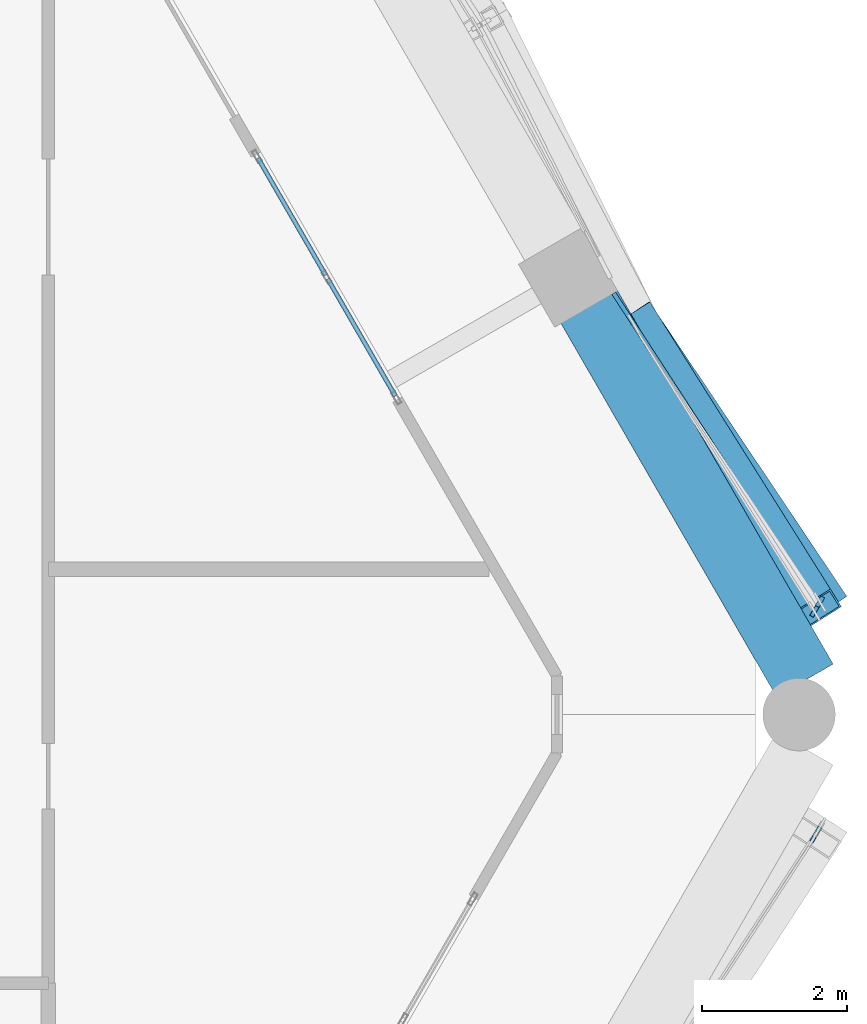
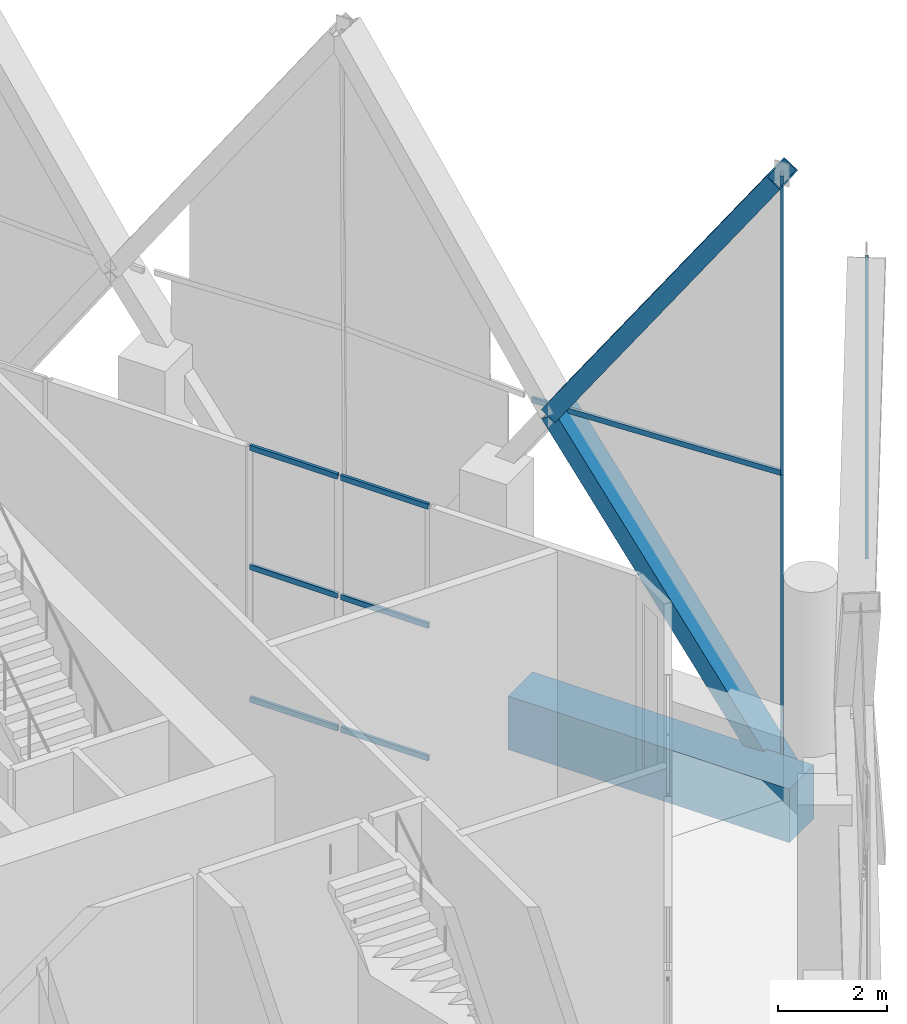
# One storey, part 25 of 43: 12 members, 1 beam, 4 elements without a shape of their own.
"""IFC4 building model written with IfcOpenShell, lengths in metres."""

from ifc_helpers import new_model, si_unit, direction, frame, origin, origin_2d, place, context, subcontext, project, spatial, rectangle, hollow_rectangle, extrude, material, material_profile, profile_set, type_object, element, aggregate, save


model = new_model("IFC4")

# Units and contexts
model_context = context("Model", 3, precision=1e-05, world=origin(), true_north=direction((0.0, 1.0)))
body_context = subcontext(model_context, "Body", "Model", "MODEL_VIEW")
ifc_project = project(units=[si_unit("LENGTHUNIT", "METRE"), si_unit("AREAUNIT", "SQUARE_METRE"), si_unit("VOLUMEUNIT", "CUBIC_METRE"), si_unit("PLANEANGLEUNIT", "RADIAN"), si_unit("MASSUNIT", "GRAM", prefix="KILO")], contexts=[model_context])

# Site, building, storey
site_placement = place(None, origin())
site = spatial("IfcSite", under=ifc_project, at=site_placement, CompositionType="ELEMENT")
building_placement = place(site_placement, origin())
building = spatial("IfcBuilding", under=site, at=building_placement, Name="Ostrander Bayou Hotel Tower", CompositionType="ELEMENT")
storey_placement = place(building_placement, frame((0.0, 0.0, 151.0)))
storey = spatial("IfcBuildingStorey", under=building, at=storey_placement, Name="L37", CompositionType="ELEMENT", Elevation=151.0)

# Curtain wall, member
ifc_material_1 = material(Name="Aluminium and clear glass", Category="aluminium")
curtain_wall_type_1 = type_object("IfcCurtainWallType", Name="CW-LAT lattice glazing", PredefinedType="NOTDEFINED", material=ifc_material_1)
curtain_wall_1_placement = place(storey_placement, origin())
curtain_wall_1 = element("IfcCurtainWall", 1, at=curtain_wall_1_placement, inside=storey, type_object=curtain_wall_type_1, Name="CW-LAT L37 SE 1", PredefinedType="NOTDEFINED")
ifc_material_2 = material(Name="Aluminium", Category="aluminium")
ifc_material_profile_1 = material_profile(ifc_material_2, hollow_rectangle(XDim=0.06005859375, YDim=0.159912109375, WallThickness=0.00390625, at=origin_2d()))
ifc_profile_set_1 = profile_set([ifc_material_profile_1], Name="Aluminium")
member_type_1 = type_object("IfcMemberType", Name="CW-LA mullion 60 x 160 mm", PredefinedType="MULLION", material=ifc_profile_set_1)
member_1_placement = place(storey_placement, frame((21.086669921875, -1.616943359375, 6.14990234375), z_axis=(-0.005605840685, -0.009692679377, 0.999937311293), x_axis=(0.86564734414, -0.500654247544, 0.0)))
member_1 = element("IfcMember", 2, at=member_1_placement, type_object=member_type_1, Name="CW-LAT mullion 9", PredefinedType="MULLION", context=body_context, shape_type="SweptSolid", body=[
    extrude(hollow_rectangle(XDim=0.06005859375, YDim=0.159912109375, WallThickness=0.00390625, at=origin_2d()), origin(), (0.0, 0.0, 1.0), 6.75048828125),
])
aggregate(curtain_wall_1, [member_1])

# Curtain wall, members
curtain_wall_2_placement = place(storey_placement, origin())
curtain_wall_2 = element("IfcCurtainWall", 3, at=curtain_wall_2_placement, inside=storey, type_object=curtain_wall_type_1, Name="CW-LAT L37 NE 1", PredefinedType="NOTDEFINED")
member_2_placement = place(storey_placement, frame((21.12451171875, 1.551513671875, -0.60009765625), z_axis=(-0.005605840685, -0.009692679377, 0.999937311293), x_axis=(0.86564734414, -0.500654247544, 0.0)))
member_2 = element("IfcMember", 4, at=member_2_placement, type_object=member_type_1, Name="CW-LAT mullion 1", PredefinedType="MULLION", context=body_context, shape_type="SweptSolid", body=[
    extrude(hollow_rectangle(XDim=0.06005859375, YDim=0.159912109375, WallThickness=0.00390625, at=origin_2d()), origin(), (0.0, 0.0, 1.0), 6.75048828125),
])
member_3_placement = place(storey_placement, frame((21.086669921875, 1.486083984375, 6.14990234375), z_axis=(-0.005605840685, -0.009692679377, 0.999937311293), x_axis=(0.86564734414, -0.500654247544, 0.0)))
member_3 = element("IfcMember", 5, at=member_3_placement, type_object=member_type_1, Name="CW-LAT mullion 2", PredefinedType="MULLION", context=body_context, shape_type="SweptSolid", body=[
    extrude(hollow_rectangle(XDim=0.06005859375, YDim=0.159912109375, WallThickness=0.00390625, at=origin_2d()), origin(), (0.0, 0.0, 1.0), 6.75048828125),
])
aggregate(curtain_wall_2, [member_2, member_3])

# Curtain wall, member
curtain_wall_3_placement = place(storey_placement, origin())
curtain_wall_3 = element("IfcCurtainWall", 6, at=curtain_wall_3_placement, inside=storey, type_object=curtain_wall_type_1, Name="CW-LAT L37 NE 2", PredefinedType="NOTDEFINED")
ifc_material_3 = material(Name="Aluminium", Category="aluminium")
ifc_material_profile_2 = material_profile(ifc_material_3, hollow_rectangle(XDim=0.06005859375, YDim=0.1201171875, WallThickness=0.00390625, at=origin_2d()))
ifc_profile_set_2 = profile_set([ifc_material_profile_2], Name="Aluminium")
member_type_2 = type_object("IfcMemberType", Name="CW-LA transom 60 x 120 mm", PredefinedType="USERDEFINED", material=ifc_profile_set_2)
member_4_placement = place(storey_placement, frame((21.086669921875, 1.486083984375, 6.14990234375), z_axis=(-0.544464566324, 0.838783843441, 0.0), x_axis=(-0.838783843441, -0.544464566324, 0.0)))
member_4 = element("IfcMember", 7, at=member_4_placement, type_object=member_type_2, Name="CW-LAT transom 3", ObjectType="TRANSOM", PredefinedType="USERDEFINED", context=body_context, shape_type="SweptSolid", body=[
    extrude(hollow_rectangle(XDim=0.06005859375, YDim=0.1201171875, WallThickness=0.00390625, at=origin_2d()), origin(), (0.0, 0.0, 1.0), 5.1455078125),
])
aggregate(curtain_wall_3, [member_4])

# Curtain wall, members
ifc_material_4 = material(Name="Aluminium and clear glass", Category="aluminium")
curtain_wall_type_2 = type_object("IfcCurtainWallType", Name="CW-SKY amenity glass wall", PredefinedType="NOTDEFINED", material=ifc_material_4)
curtain_wall_4_placement = place(storey_placement, origin())
curtain_wall_4 = element("IfcCurtainWall", 8, at=curtain_wall_4_placement, inside=storey, type_object=curtain_wall_type_2, Name="CW-SKY L37 NE 2", PredefinedType="NOTDEFINED")
ifc_material_5 = material(Name="Aluminium", Category="aluminium")
ifc_material_profile_3 = material_profile(ifc_material_5, hollow_rectangle(XDim=0.06005859375, YDim=0.1201171875, WallThickness=0.00390625, at=origin_2d()))
ifc_profile_set_3 = profile_set([ifc_material_profile_3], Name="Aluminium")
member_type_3 = type_object("IfcMemberType", Name="CW-SK transom 60 x 120 mm", PredefinedType="USERDEFINED", material=ifc_profile_set_3)
member_5_placement = place(storey_placement, frame((15.2783203125, 4.386962890625, 0.030029296875), z_axis=(-0.499964847546, 0.866045698112, 0.0), x_axis=(-0.866045698112, -0.499964847546, 0.0)))
member_5 = element("IfcMember", 9, at=member_5_placement, type_object=member_type_3, Name="CW-SKY transom 1.1", ObjectType="TRANSOM", PredefinedType="USERDEFINED", context=body_context, shape_type="SweptSolid", body=[
    extrude(hollow_rectangle(XDim=0.06005859375, YDim=0.1201171875, WallThickness=0.00390625, at=origin_2d()), origin(), (0.0, 0.0, 1.0), 1.860107421875),
])
member_6_placement = place(storey_placement, frame((15.2783203125, 4.386962890625, 3.0), z_axis=(-0.499964847546, 0.866045698112, 0.0), x_axis=(-0.866045698112, -0.499964847546, 0.0)))
member_6 = element("IfcMember", 10, at=member_6_placement, type_object=member_type_3, Name="CW-SKY transom 1.2", ObjectType="TRANSOM", PredefinedType="USERDEFINED", context=body_context, shape_type="SweptSolid", body=[
    extrude(hollow_rectangle(XDim=0.06005859375, YDim=0.1201171875, WallThickness=0.00390625, at=origin_2d()), origin(), (0.0, 0.0, 1.0), 1.860107421875),
])
member_7_placement = place(storey_placement, frame((15.2783203125, 4.386962890625, 5.669921875), z_axis=(-0.499964847546, 0.866045698112, 0.0), x_axis=(-0.866045698112, -0.499964847546, 0.0)))
member_7 = element("IfcMember", 11, at=member_7_placement, type_object=member_type_3, Name="CW-SKY transom 1.3", ObjectType="TRANSOM", PredefinedType="USERDEFINED", context=body_context, shape_type="SweptSolid", body=[
    extrude(hollow_rectangle(XDim=0.06005859375, YDim=0.1201171875, WallThickness=0.00390625, at=origin_2d()), origin(), (0.0, 0.0, 1.0), 1.860107421875),
])
member_8_placement = place(storey_placement, frame((14.318359375, 6.0498046875, 0.030029296875), z_axis=(-0.499964847546, 0.866045698112, 0.0), x_axis=(-0.866045698112, -0.499964847546, 0.0)))
member_8 = element("IfcMember", 12, at=member_8_placement, type_object=member_type_3, Name="CW-SKY transom 2.1", ObjectType="TRANSOM", PredefinedType="USERDEFINED", context=body_context, shape_type="SweptSolid", body=[
    extrude(hollow_rectangle(XDim=0.06005859375, YDim=0.1201171875, WallThickness=0.00390625, at=origin_2d()), origin(), (0.0, 0.0, 1.0), 1.860107421875),
])
member_9_placement = place(storey_placement, frame((14.318359375, 6.0498046875, 3.0), z_axis=(-0.499964847546, 0.866045698112, 0.0), x_axis=(-0.866045698112, -0.499964847546, 0.0)))
member_9 = element("IfcMember", 13, at=member_9_placement, type_object=member_type_3, Name="CW-SKY transom 2.2", ObjectType="TRANSOM", PredefinedType="USERDEFINED", context=body_context, shape_type="SweptSolid", body=[
    extrude(hollow_rectangle(XDim=0.06005859375, YDim=0.1201171875, WallThickness=0.00390625, at=origin_2d()), origin(), (0.0, 0.0, 1.0), 1.860107421875),
])
member_10_placement = place(storey_placement, frame((14.318359375, 6.0498046875, 5.669921875), z_axis=(-0.499964847546, 0.866045698112, 0.0), x_axis=(-0.866045698112, -0.499964847546, 0.0)))
member_10 = element("IfcMember", 14, at=member_10_placement, type_object=member_type_3, Name="CW-SKY transom 2.3", ObjectType="TRANSOM", PredefinedType="USERDEFINED", context=body_context, shape_type="SweptSolid", body=[
    extrude(hollow_rectangle(XDim=0.06005859375, YDim=0.1201171875, WallThickness=0.00390625, at=origin_2d()), origin(), (0.0, 0.0, 1.0), 1.860107421875),
])
aggregate(curtain_wall_4, [member_5, member_6, member_7, member_8, member_9, member_10])

# Members
ifc_material_6 = material(Name="Steel ASTM A572 Gr 50", Category="steel")
ifc_material_profile_4 = material_profile(ifc_material_6, hollow_rectangle(XDim=0.699951171875, YDim=0.35009765625, WallThickness=0.02490234375, at=origin_2d()))
ifc_profile_set_4 = profile_set([ifc_material_profile_4], Name="Steel ASTM A572 Gr 50")
member_type_4 = type_object("IfcMemberType", Name="LT1 lattice member box 700 x 350 x 25 mm", PredefinedType="BRACE", material=ifc_profile_set_4)
member_11_placement = place(storey_placement, frame((18.563232421875, 5.373291015625, 6.14990234375), z_axis=(0.31354568093, -0.467852834741, -0.826318843422), x_axis=(0.83070077176, 0.556719164209, 0.0)))
element("IfcMember", 15, at=member_11_placement, inside=storey, type_object=member_type_4, Name="LT1 L37 NE 1", PredefinedType="BRACE", context=body_context, shape_type="SweptSolid", body=[
    extrude(hollow_rectangle(XDim=0.699951171875, YDim=0.35009765625, WallThickness=0.02490234375, at=origin_2d()), origin(), (0.0, 0.0, 1.0), 8.168701171875),
])
member_12_placement = place(storey_placement, frame((18.563232421875, 5.373291015625, 6.14990234375), z_axis=(0.302842262194, -0.481584935165, 0.822412618125), x_axis=(0.846532203003, 0.532337514439, 0.0)))
element("IfcMember", 16, at=member_12_placement, inside=storey, type_object=member_type_4, Name="LT1 L37 NE 2", PredefinedType="BRACE", context=body_context, shape_type="SweptSolid", body=[
    extrude(hollow_rectangle(XDim=0.699951171875, YDim=0.35009765625, WallThickness=0.02490234375, at=origin_2d()), origin(), (0.0, 0.0, 1.0), 8.20751953125),
])

# Beam
ifc_material_7 = material(Name="Concrete f'c 60 MPa", Category="concrete")
ifc_material_profile_5 = material_profile(ifc_material_7, rectangle(XDim=0.89990234375, YDim=1.199951171875, at=origin_2d()))
ifc_profile_set_5 = profile_set([ifc_material_profile_5], Name="Concrete f'c 60 MPa")
beam_type = type_object("IfcBeamType", Name="SP3 spandrel beam 900 x 1200 mm f'c 60 MPa", PredefinedType="SPANDREL", material=ifc_profile_set_5)
beam_placement = place(storey_placement, frame((20.91748046875, 0.4697265625, -0.60009765625), z_axis=(-0.500004760619, 0.866022655223, 0.0), x_axis=(-0.866022655223, -0.500004760619, 0.0)))
element("IfcBeam", 17, at=beam_placement, inside=storey, type_object=beam_type, Name="SP3 L37 NE-1", PredefinedType="SPANDREL", context=body_context, shape_type="SweptSolid", body=[
    extrude(rectangle(XDim=0.89990234375, YDim=1.199951171875, at=origin_2d()), origin(), (0.0, 0.0, 1.0), 5.9638671875),
])

save(model, "model.ifc")
